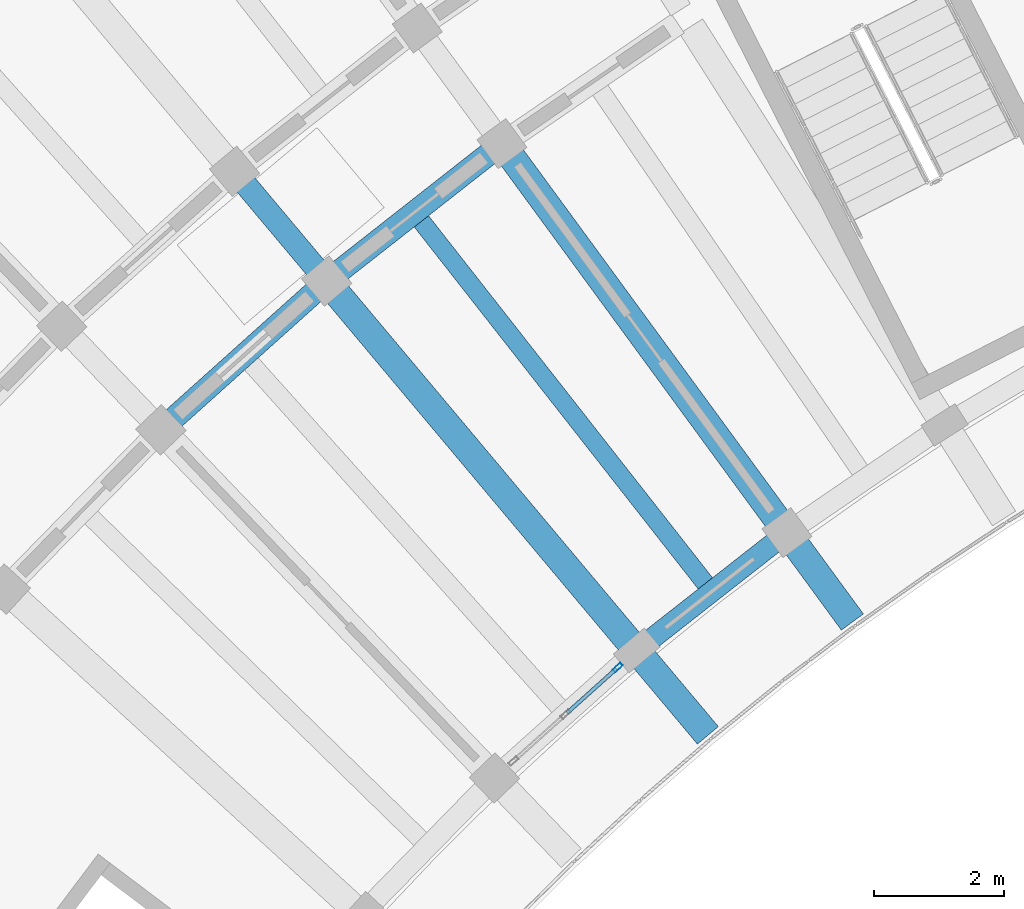
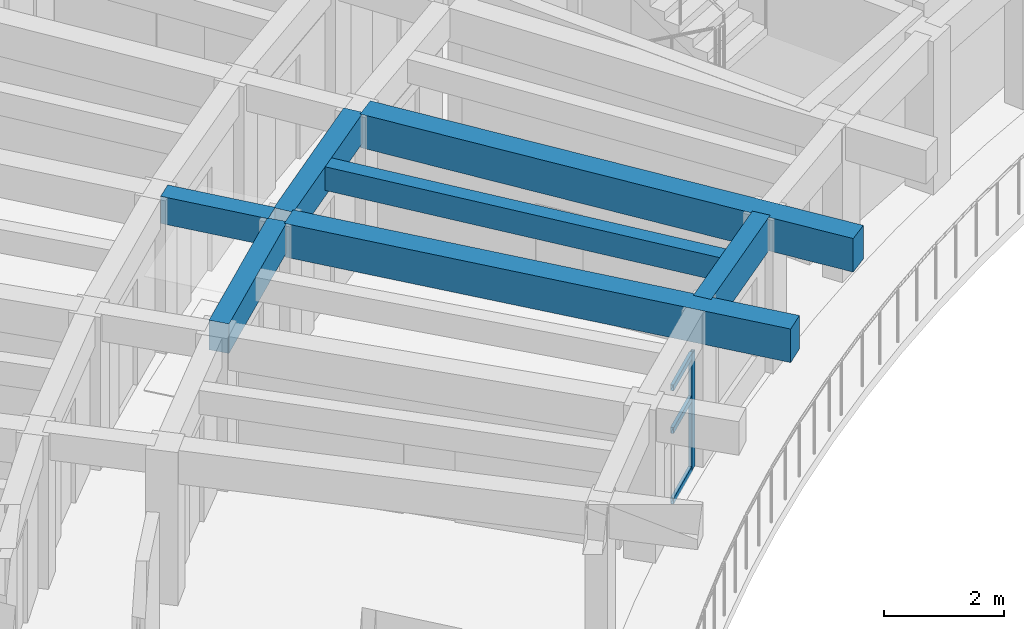
# One storey, part 18 of 96: 7 beams, 4 members, 1 element without a shape of its own.
"""IFC4 building model written with IfcOpenShell, lengths in metres."""

from ifc_helpers import new_model, si_unit, direction, frame, origin, origin_2d, place, context, subcontext, project, spatial, rectangle, hollow_rectangle, extrude, material, material_profile, profile_set, type_object, element, aggregate, save


model = new_model("IFC4")

# Units and contexts
model_context = context("Model", 3, precision=1e-05, world=origin(), true_north=direction((0.0, 1.0)))
body_context = subcontext(model_context, "Body", "Model", "MODEL_VIEW")
ifc_project = project(units=[si_unit("LENGTHUNIT", "METRE"), si_unit("AREAUNIT", "SQUARE_METRE"), si_unit("VOLUMEUNIT", "CUBIC_METRE"), si_unit("PLANEANGLEUNIT", "RADIAN"), si_unit("MASSUNIT", "GRAM", prefix="KILO")], contexts=[model_context])

# Site, building, storey
site_placement = place(None, origin())
site = spatial("IfcSite", under=ifc_project, at=site_placement, CompositionType="ELEMENT")
building_placement = place(site_placement, origin())
building = spatial("IfcBuilding", under=site, at=building_placement, Name="Tanwirah Colonnade Gardens", CompositionType="ELEMENT")
storey_placement = place(building_placement, frame((0.0, 0.0, 12.199951171875)))
storey = spatial("IfcBuildingStorey", under=building, at=storey_placement, Name="L03", CompositionType="ELEMENT", Elevation=12.199951171875)

# Beams
ifc_material_1 = material(Name="Precast concrete C40/50", Category="concrete")
ifc_material_profile_1 = material_profile(ifc_material_1, rectangle(XDim=0.35009765625, YDim=0.550048828125, at=origin_2d()), Name="PC-BM 350x550")
ifc_profile_set_1 = profile_set([ifc_material_profile_1], Name="Precast concrete C40/50")
beam_type_1 = type_object("IfcBeamType", Name="BM-PC350A", PredefinedType="BEAM", material=ifc_profile_set_1)
beam_1_placement = place(storey_placement, frame((31.574951171875, 100.034423828125, 2.830078125), z_axis=(-0.642797194343, 0.766036400535, 0.0), x_axis=(-0.766036400535, -0.642797194343, 0.0)))
element("IfcBeam", 1, at=beam_1_placement, inside=storey, type_object=beam_type_1, Name="Block A L03 Corridor Tie Beam 9", PredefinedType="BEAM", context=body_context, shape_type="SweptSolid", body=[
    extrude(rectangle(XDim=0.35009765625, YDim=0.550048828125, at=origin_2d()), origin(), (0.0, 0.0, 1.0), 1.89990234375),
])
ifc_material_profile_2 = material_profile(ifc_material_1, rectangle(XDim=0.35009765625, YDim=0.60009765625, at=origin_2d()), Name="PC-BM 350x600")
ifc_profile_set_2 = profile_set([ifc_material_profile_2], Name="Precast concrete C40/50")
beam_type_2 = type_object("IfcBeamType", Name="BM-PC350B", PredefinedType="BEAM", material=ifc_profile_set_2)
for number, where, z_axis, x_axis, name in (
    (2, (34.242919921875, 101.9365234375, 2.804931640625), (-0.78679899272, -0.617209320292, 0.0), (0.617209320292, -0.78679899272, 0.0), "Block A L03 Circumferential Beam 8-R1"),
    (3, (31.559814453125, 99.8193359375, 2.804931640625), (-0.744429866059, -0.667700662363, 0.0), (0.667700662363, -0.744429866059, 0.0), "Block A L03 Circumferential Beam 9-R1"),
):
    element("IfcBeam", number, at=place(storey_placement, frame(where, z_axis=z_axis, x_axis=x_axis)), inside=storey, type_object=beam_type_2, Name=name, PredefinedType="BEAM", context=body_context, shape_type="SweptSolid", body=[
        extrude(rectangle(XDim=0.35009765625, YDim=0.60009765625, at=origin_2d()), origin(), (0.0, 0.0, 1.0), 3.1181640625),
    ])
ifc_material_2 = material(Name="Precast concrete C45/55", Category="concrete")
ifc_material_profile_3 = material_profile(ifc_material_2, rectangle(XDim=0.419921875, YDim=0.679931640625, at=origin_2d()), Name="PC-BM 420x680")
ifc_profile_set_3 = profile_set([ifc_material_profile_3], Name="Precast concrete C45/55")
beam_type_3 = type_object("IfcBeamType", Name="BM-PC420", PredefinedType="BEAM", material=ifc_profile_set_3)
for number, where, z_axis, x_axis, name in (
    (4, (34.449462890625, 101.907958984375, 2.76513671875), (0.590927205009, -0.806724883947, 0.0), (0.806724883947, 0.590927205009, 0.0), "Block A L03 Inner Radial Precast Girder 8"),
    (5, (31.767822265625, 99.804443359375, 2.76513671875), (0.64279407932, -0.766039014406, 0.0), (0.766039014406, 0.64279407932, 0.0), "Block A L03 Inner Radial Precast Girder 9"),
):
    element("IfcBeam", number, at=place(storey_placement, frame(where, z_axis=z_axis, x_axis=x_axis)), inside=storey, type_object=beam_type_3, Name=name, PredefinedType="BEAM", context=body_context, shape_type="SweptSolid", body=[
        extrude(rectangle(XDim=0.419921875, YDim=0.679931640625, at=origin_2d()), origin(), (0.0, 0.0, 1.0), 8.949951171875),
    ])

# Curtain wall, members
ifc_material_3 = material(Name="Bronze-anodised aluminium and solar-control low-E glass", Category="aluminium")
curtain_wall_type = type_object("IfcCurtainWallType", Name="CW-GDN", PredefinedType="NOTDEFINED", material=ifc_material_3)
curtain_wall_placement = place(storey_placement, origin())
curtain_wall = element("IfcCurtainWall", 6, at=curtain_wall_placement, inside=storey, type_object=curtain_wall_type, Name="Curtain Wall CW-A-L03-IN-09", PredefinedType="NOTDEFINED")
ifc_material_4 = material(Name="Bronze-anodised aluminium", Category="aluminium")
ifc_material_profile_4 = material_profile(ifc_material_4, hollow_rectangle(XDim=0.06005859375, YDim=0.159912109375, WallThickness=0.00390625, at=origin_2d()), Name="CW-MUL 60x160x4")
ifc_profile_set_4 = profile_set([ifc_material_profile_4], Name="Bronze-anodised aluminium")
member_type_1 = type_object("IfcMemberType", Name="CWM-60x160", PredefinedType="MULLION", material=ifc_profile_set_4)
member_1_placement = place(storey_placement, frame((36.1376953125, 93.990234375, 0.0), z_axis=(0.0, 0.0, 1.0), x_axis=(0.667689182798, -0.744440162253, 0.0)))
member_1 = element("IfcMember", 7, at=member_1_placement, type_object=member_type_1, Name="CW-GDN mullion 1", PredefinedType="MULLION", context=body_context, shape_type="SweptSolid", body=[
    extrude(hollow_rectangle(XDim=0.06005859375, YDim=0.159912109375, WallThickness=0.00390625, at=origin_2d()), origin(), (0.0, 0.0, 1.0), 2.35498046875),
])
ifc_material_profile_5 = material_profile(ifc_material_4, hollow_rectangle(XDim=0.06005859375, YDim=0.1201171875, WallThickness=0.00390625, at=origin_2d()), Name="CW-TRN 60x120x4")
ifc_profile_set_5 = profile_set([ifc_material_profile_5], Name="Bronze-anodised aluminium")
member_type_2 = type_object("IfcMemberType", Name="CWT-60x120", PredefinedType="USERDEFINED", material=ifc_profile_set_5)
member_2_placement = place(storey_placement, frame((36.115478515625, 93.97021484375, 0.030029296875), z_axis=(-0.744536466411, -0.66758179288, 0.0), x_axis=(0.66758179288, -0.744536466411, 0.0)))
member_2 = element("IfcMember", 8, at=member_2_placement, type_object=member_type_2, Name="CW-GDN transom 1.1", ObjectType="TRANSOM", PredefinedType="USERDEFINED", context=body_context, shape_type="SweptSolid", body=[
    extrude(hollow_rectangle(XDim=0.06005859375, YDim=0.1201171875, WallThickness=0.00390625, at=origin_2d()), origin(), (0.0, 0.0, 1.0), 1.01513671875),
])
member_3_placement = place(storey_placement, frame((36.115478515625, 93.97021484375, 1.460205078125), z_axis=(-0.744536466411, -0.66758179288, 0.0), x_axis=(0.66758179288, -0.744536466411, 0.0)))
member_3 = element("IfcMember", 9, at=member_3_placement, type_object=member_type_2, Name="CW-GDN transom 1.2", ObjectType="TRANSOM", PredefinedType="USERDEFINED", context=body_context, shape_type="SweptSolid", body=[
    extrude(hollow_rectangle(XDim=0.06005859375, YDim=0.1201171875, WallThickness=0.00390625, at=origin_2d()), origin(), (0.0, 0.0, 1.0), 1.01513671875),
])
member_4_placement = place(storey_placement, frame((36.115478515625, 93.97021484375, 2.324951171875), z_axis=(-0.744536466411, -0.66758179288, 0.0), x_axis=(0.66758179288, -0.744536466411, 0.0)))
member_4 = element("IfcMember", 10, at=member_4_placement, type_object=member_type_2, Name="CW-GDN transom 1.3", ObjectType="TRANSOM", PredefinedType="USERDEFINED", context=body_context, shape_type="SweptSolid", body=[
    extrude(hollow_rectangle(XDim=0.06005859375, YDim=0.1201171875, WallThickness=0.00390625, at=origin_2d()), origin(), (0.0, 0.0, 1.0), 1.01513671875),
])
aggregate(curtain_wall, [member_1, member_2, member_3, member_4])

# Beams
ifc_material_profile_6 = material_profile(ifc_material_1, rectangle(XDim=0.280029296875, YDim=0.47998046875, at=origin_2d()), Name="PC-JST 280x480")
ifc_profile_set_6 = profile_set([ifc_material_profile_6], Name="Precast concrete C40/50")
beam_type_4 = type_object("IfcBeamType", Name="JST-PC280", PredefinedType="JOIST", material=ifc_profile_set_6)
beam_2_placement = place(storey_placement, frame((37.491943359375, 95.268310546875, 2.864990234375), z_axis=(-0.617202438917, 0.786804390808, 0.0), x_axis=(-0.786804390808, -0.617202438917, 0.0)))
element("IfcBeam", 11, at=beam_2_placement, inside=storey, type_object=beam_type_4, Name="Block A L03 Inner Precast Floor Joist 8", PredefinedType="JOIST", context=body_context, shape_type="SweptSolid", body=[
    extrude(rectangle(XDim=0.280029296875, YDim=0.47998046875, at=origin_2d()), origin(), (0.0, 0.0, 1.0), 7.159912109375),
])
ifc_material_profile_7 = material_profile(ifc_material_2, rectangle(XDim=0.320068359375, YDim=0.679931640625, at=origin_2d()), Name="PC-SP 320x680")
ifc_profile_set_7 = profile_set([ifc_material_profile_7], Name="Precast concrete C45/55")
beam_type_5 = type_object("IfcBeamType", Name="SP-PC320", PredefinedType="SPANDREL", material=ifc_profile_set_7)
beam_3_placement = place(storey_placement, frame((38.61572265625, 95.966552734375, 2.76513671875), z_axis=(-0.786836625031, -0.617161344795, 0.0), x_axis=(0.617161344795, -0.786836625031, 0.0)))
element("IfcBeam", 12, at=beam_3_placement, inside=storey, type_object=beam_type_5, Name="Block A L03 Circumferential Beam 8-R0", PredefinedType="SPANDREL", context=body_context, shape_type="SweptSolid", body=[
    extrude(rectangle(XDim=0.320068359375, YDim=0.679931640625, at=origin_2d()), origin(), (0.0, 0.0, 1.0), 2.63037109375),
])

save(model, "model.ifc")
